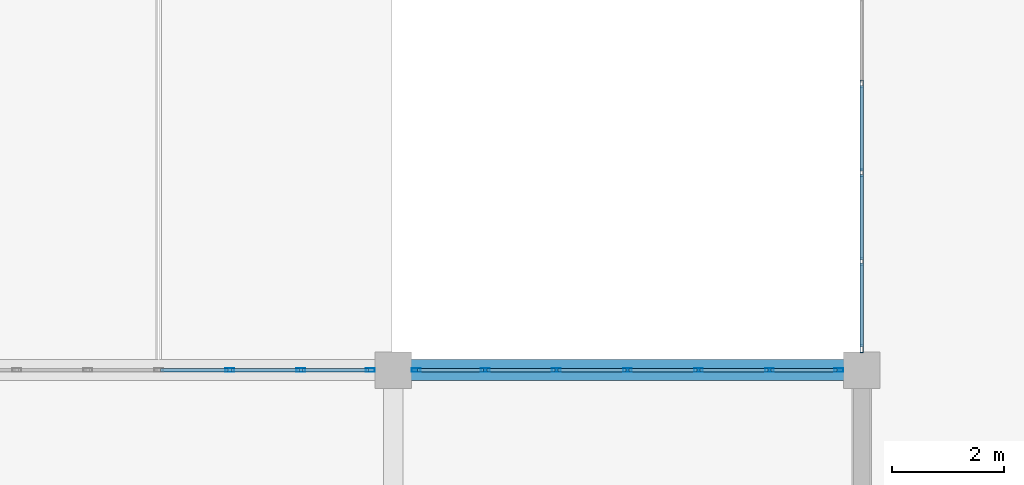
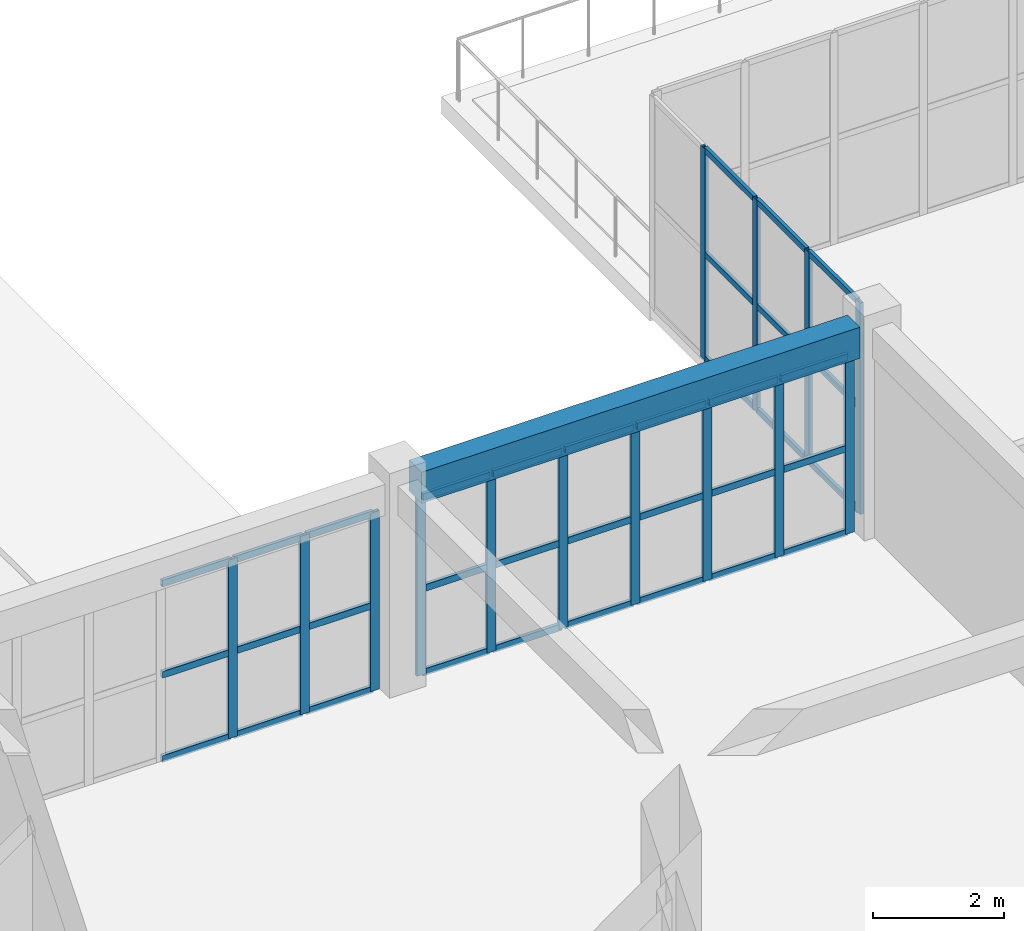
# One storey, part 45 of 90: 50 members, 1 beam, 3 elements without a shape of their own.
"""IFC4 building model written with IfcOpenShell, lengths in metres."""

from ifc_helpers import new_model, si_unit, direction, frame, origin, origin_2d, place, context, subcontext, project, spatial, rectangle, hollow_rectangle, extrude, material, layer, layer_set, material_profile, profile_set, type_object, element, aggregate, save


model = new_model("IFC4")

# Units and contexts
model_context = context("Model", 3, precision=1e-05, world=origin(), true_north=direction((0.0, 1.0)))
body_context = subcontext(model_context, "Body", "Model", "MODEL_VIEW")
ifc_project = project(units=[si_unit("LENGTHUNIT", "METRE"), si_unit("AREAUNIT", "SQUARE_METRE"), si_unit("VOLUMEUNIT", "CUBIC_METRE"), si_unit("PLANEANGLEUNIT", "RADIAN"), si_unit("MASSUNIT", "GRAM", prefix="KILO")], contexts=[model_context])

# Site, building, storey
site_placement = place(None, origin())
site = spatial("IfcSite", under=ifc_project, at=site_placement, CompositionType="ELEMENT")
building_placement = place(site_placement, origin())
building = spatial("IfcBuilding", under=site, at=building_placement, Name="Trelvath General Hospital", CompositionType="ELEMENT")
storey_placement = place(building_placement, frame((0.0, 0.0, 20.39990234375)))
storey = spatial("IfcBuildingStorey", under=building, at=storey_placement, Name="L05", CompositionType="ELEMENT", Elevation=20.39990234375)

# Beam
ifc_material_1 = material(Name="Concrete C35/45", Category="concrete")
ifc_material_profile_1 = material_profile(ifc_material_1, rectangle(XDim=0.3798828125, YDim=0.580078125, at=origin_2d()), Name="RCB380x580")
ifc_profile_set_1 = profile_set([ifc_material_profile_1], Name="Concrete C35/45")
beam_type = type_object("IfcBeamType", Name="Beam RC380x580", PredefinedType="BEAM", material=ifc_profile_set_1)
beam_placement = place(storey_placement, frame((84.320068359375, 67.199951171875, 3.630126953125), z_axis=(1.0, 0.0, 0.0), x_axis=(0.0, 1.0, 0.0)))
element("IfcBeam", 1, at=beam_placement, inside=storey, type_object=beam_type, Name="Grid Beam BX-510I", PredefinedType="BEAM", context=body_context, shape_type="SweptSolid", body=[
    extrude(rectangle(XDim=0.3798828125, YDim=0.580078125, at=origin_2d()), origin(), (0.0, 0.0, 1.0), 7.760009765625),
])

# Curtain wall, members
ifc_material_2 = material(Name="Anodised aluminium and low-E glass", Category="aluminium")
ifc_layer_1 = layer(ifc_material_2, 0.14990234375)
ifc_layer_set_1 = layer_set([ifc_layer_1], Name="Anodised aluminium and low-E glass")
curtain_wall_type_1 = type_object("IfcCurtainWallType", Name="CW CrystalCube 636 396 15", PredefinedType="USERDEFINED", material=ifc_layer_set_1)
curtain_wall_1_placement = place(storey_placement, origin())
curtain_wall_1 = element("IfcCurtainWall", 2, at=curtain_wall_1_placement, inside=storey, type_object=curtain_wall_type_1, Name="Crystal Cube Curtain Wall CUBE-E-T2 W5 L05", ObjectType="Unitised Glazed Curtain Wall", PredefinedType="USERDEFINED")
ifc_material_3 = material(Name="Anodised aluminium", Category="aluminium")
ifc_material_profile_2 = material_profile(ifc_material_3, hollow_rectangle(XDim=0.06005859375, YDim=0.139892578125, WallThickness=0.00390625, at=origin_2d()), Name="RHS60x140x4")
ifc_profile_set_2 = profile_set([ifc_material_profile_2], Name="Anodised aluminium")
member_type_1 = type_object("IfcMemberType", Name="CurtainMullion 60x140", PredefinedType="MULLION", material=ifc_profile_set_2)
member_1_placement = place(storey_placement, frame((92.39990234375, 67.5849609375, 0.0), z_axis=(0.0, 0.0, 1.0), x_axis=(-1.0, 0.0, 0.0)))
member_1 = element("IfcMember", 3, at=member_1_placement, type_object=member_type_1, Name="CW-323 mullion 1", PredefinedType="MULLION", context=body_context, shape_type="SweptSolid", body=[
    extrude(hollow_rectangle(XDim=0.06005859375, YDim=0.139892578125, WallThickness=0.00390625, at=origin_2d()), origin(), (0.0, 0.0, 1.0), 3.960205078125),
])
member_2_placement = place(storey_placement, frame((92.39990234375, 69.146240234375, 0.0), z_axis=(0.0, 0.0, 1.0), x_axis=(-1.0, 0.0, 0.0)))
member_2 = element("IfcMember", 4, at=member_2_placement, type_object=member_type_1, Name="CW-323 mullion 2", PredefinedType="MULLION", context=body_context, shape_type="SweptSolid", body=[
    extrude(hollow_rectangle(XDim=0.06005859375, YDim=0.139892578125, WallThickness=0.00390625, at=origin_2d()), origin(), (0.0, 0.0, 1.0), 3.960205078125),
])
member_3_placement = place(storey_placement, frame((92.39990234375, 70.737548828125, 0.0), z_axis=(0.0, 0.0, 1.0), x_axis=(-1.0, 0.0, 0.0)))
member_3 = element("IfcMember", 5, at=member_3_placement, type_object=member_type_1, Name="CW-323 mullion 3", PredefinedType="MULLION", context=body_context, shape_type="SweptSolid", body=[
    extrude(hollow_rectangle(XDim=0.06005859375, YDim=0.139892578125, WallThickness=0.00390625, at=origin_2d()), origin(), (0.0, 0.0, 1.0), 3.960205078125),
])
member_4_placement = place(storey_placement, frame((92.39990234375, 72.328857421875, 0.0), z_axis=(0.0, 0.0, 1.0), x_axis=(-1.0, 0.0, 0.0)))
member_4 = element("IfcMember", 6, at=member_4_placement, type_object=member_type_1, Name="CW-323 mullion 4", PredefinedType="MULLION", context=body_context, shape_type="SweptSolid", body=[
    extrude(hollow_rectangle(XDim=0.06005859375, YDim=0.139892578125, WallThickness=0.00390625, at=origin_2d()), origin(), (0.0, 0.0, 1.0), 3.960205078125),
])

ifc_material_4 = material(Name="Anodised aluminium and low-E glass", Category="aluminium")
ifc_layer_2 = layer(ifc_material_4, 0.14990234375)
ifc_layer_set_2 = layer_set([ifc_layer_2], Name="Anodised aluminium and low-E glass")
curtain_wall_type_2 = type_object("IfcCurtainWallType", Name="CW Facade 764 334 15", PredefinedType="USERDEFINED", material=ifc_layer_set_2)
curtain_wall_2_placement = place(storey_placement, origin())
curtain_wall_2 = element("IfcCurtainWall", 7, at=curtain_wall_2_placement, inside=storey, type_object=curtain_wall_type_2, Name="Facade Curtain Wall CW-071", ObjectType="Unitised Glazed Curtain Wall", PredefinedType="USERDEFINED")
ifc_material_5 = material(Name="Anodised aluminium", Category="aluminium")
ifc_material_profile_3 = material_profile(ifc_material_5, hollow_rectangle(XDim=0.06005859375, YDim=0.159912109375, WallThickness=0.00390625, at=origin_2d()), Name="RHS60x160x4")
ifc_profile_set_3 = profile_set([ifc_material_profile_3], Name="Anodised aluminium")
member_type_2 = type_object("IfcMemberType", Name="CurtainMullion 60x160", PredefinedType="MULLION", material=ifc_profile_set_3)
member_5_placement = place(storey_placement, frame((81.0732421875, 67.199951171875, 0.0), z_axis=(0.0, 0.0, 1.0), x_axis=(0.0, 1.0, 0.0)))
member_5 = element("IfcMember", 8, at=member_5_placement, type_object=member_type_2, Name="CW-071 mullion 5", PredefinedType="MULLION", context=body_context, shape_type="SweptSolid", body=[
    extrude(hollow_rectangle(XDim=0.06005859375, YDim=0.159912109375, WallThickness=0.00390625, at=origin_2d()), origin(), (0.0, 0.0, 1.0), 3.340087890625),
])
member_6_placement = place(storey_placement, frame((82.3466796875, 67.199951171875, 0.0), z_axis=(0.0, 0.0, 1.0), x_axis=(0.0, 1.0, 0.0)))
member_6 = element("IfcMember", 9, at=member_6_placement, type_object=member_type_2, Name="CW-071 mullion 6", PredefinedType="MULLION", context=body_context, shape_type="SweptSolid", body=[
    extrude(hollow_rectangle(XDim=0.06005859375, YDim=0.159912109375, WallThickness=0.00390625, at=origin_2d()), origin(), (0.0, 0.0, 1.0), 3.340087890625),
])
member_7_placement = place(storey_placement, frame((83.590087890625, 67.199951171875, 0.0), z_axis=(0.0, 0.0, 1.0), x_axis=(0.0, 1.0, 0.0)))
member_7 = element("IfcMember", 10, at=member_7_placement, type_object=member_type_2, Name="CW-071 mullion 7", PredefinedType="MULLION", context=body_context, shape_type="SweptSolid", body=[
    extrude(hollow_rectangle(XDim=0.06005859375, YDim=0.159912109375, WallThickness=0.00390625, at=origin_2d()), origin(), (0.0, 0.0, 1.0), 3.340087890625),
])

curtain_wall_3_placement = place(storey_placement, origin())
curtain_wall_3 = element("IfcCurtainWall", 11, at=curtain_wall_3_placement, inside=storey, type_object=curtain_wall_type_2, Name="Facade Curtain Wall CW-073", ObjectType="Unitised Glazed Curtain Wall", PredefinedType="USERDEFINED")
member_8_placement = place(storey_placement, frame((84.409912109375, 67.199951171875, 0.0), z_axis=(0.0, 0.0, 1.0), x_axis=(0.0, 1.0, 0.0)))
member_8 = element("IfcMember", 12, at=member_8_placement, type_object=member_type_2, Name="CW-073 mullion 1", PredefinedType="MULLION", context=body_context, shape_type="SweptSolid", body=[
    extrude(hollow_rectangle(XDim=0.06005859375, YDim=0.159912109375, WallThickness=0.00390625, at=origin_2d()), origin(), (0.0, 0.0, 1.0), 3.340087890625),
])
member_9_placement = place(storey_placement, frame((85.6533203125, 67.199951171875, 0.0), z_axis=(0.0, 0.0, 1.0), x_axis=(0.0, 1.0, 0.0)))
member_9 = element("IfcMember", 13, at=member_9_placement, type_object=member_type_2, Name="CW-073 mullion 2", PredefinedType="MULLION", context=body_context, shape_type="SweptSolid", body=[
    extrude(hollow_rectangle(XDim=0.06005859375, YDim=0.159912109375, WallThickness=0.00390625, at=origin_2d()), origin(), (0.0, 0.0, 1.0), 3.340087890625),
])
member_10_placement = place(storey_placement, frame((86.9267578125, 67.199951171875, 0.0), z_axis=(0.0, 0.0, 1.0), x_axis=(0.0, 1.0, 0.0)))
member_10 = element("IfcMember", 14, at=member_10_placement, type_object=member_type_2, Name="CW-073 mullion 3", PredefinedType="MULLION", context=body_context, shape_type="SweptSolid", body=[
    extrude(hollow_rectangle(XDim=0.06005859375, YDim=0.159912109375, WallThickness=0.00390625, at=origin_2d()), origin(), (0.0, 0.0, 1.0), 3.340087890625),
])
member_11_placement = place(storey_placement, frame((88.199951171875, 67.199951171875, 0.0), z_axis=(0.0, 0.0, 1.0), x_axis=(0.0, 1.0, 0.0)))
member_11 = element("IfcMember", 15, at=member_11_placement, type_object=member_type_2, Name="CW-073 mullion 4", PredefinedType="MULLION", context=body_context, shape_type="SweptSolid", body=[
    extrude(hollow_rectangle(XDim=0.06005859375, YDim=0.159912109375, WallThickness=0.00390625, at=origin_2d()), origin(), (0.0, 0.0, 1.0), 3.340087890625),
])
member_12_placement = place(storey_placement, frame((89.473388671875, 67.199951171875, 0.0), z_axis=(0.0, 0.0, 1.0), x_axis=(0.0, 1.0, 0.0)))
member_12 = element("IfcMember", 16, at=member_12_placement, type_object=member_type_2, Name="CW-073 mullion 5", PredefinedType="MULLION", context=body_context, shape_type="SweptSolid", body=[
    extrude(hollow_rectangle(XDim=0.06005859375, YDim=0.159912109375, WallThickness=0.00390625, at=origin_2d()), origin(), (0.0, 0.0, 1.0), 3.340087890625),
])
member_13_placement = place(storey_placement, frame((90.74658203125, 67.199951171875, 0.0), z_axis=(0.0, 0.0, 1.0), x_axis=(0.0, 1.0, 0.0)))
member_13 = element("IfcMember", 17, at=member_13_placement, type_object=member_type_2, Name="CW-073 mullion 6", PredefinedType="MULLION", context=body_context, shape_type="SweptSolid", body=[
    extrude(hollow_rectangle(XDim=0.06005859375, YDim=0.159912109375, WallThickness=0.00390625, at=origin_2d()), origin(), (0.0, 0.0, 1.0), 3.340087890625),
])
member_14_placement = place(storey_placement, frame((91.989990234375, 67.199951171875, 0.0), z_axis=(0.0, 0.0, 1.0), x_axis=(0.0, 1.0, 0.0)))
member_14 = element("IfcMember", 18, at=member_14_placement, type_object=member_type_2, Name="CW-073 mullion 7", PredefinedType="MULLION", context=body_context, shape_type="SweptSolid", body=[
    extrude(hollow_rectangle(XDim=0.06005859375, YDim=0.159912109375, WallThickness=0.00390625, at=origin_2d()), origin(), (0.0, 0.0, 1.0), 3.340087890625),
])

# Member
ifc_material_6 = material(Name="Anodised aluminium", Category="aluminium")
ifc_material_profile_4 = material_profile(ifc_material_6, hollow_rectangle(XDim=0.06005859375, YDim=0.110107421875, WallThickness=0.00390625, at=origin_2d()), Name="RHS60x110x4")
ifc_profile_set_4 = profile_set([ifc_material_profile_4], Name="Anodised aluminium")
member_type_3 = type_object("IfcMemberType", Name="CurtainTransom 60x110", PredefinedType="USERDEFINED", material=ifc_profile_set_4)
member_15_placement = place(storey_placement, frame((92.39990234375, 67.614990234375, 0.030029296875), z_axis=(0.0, 1.0, 0.0), x_axis=(-1.0, 0.0, 0.0)))
member_15 = element("IfcMember", 19, at=member_15_placement, type_object=member_type_3, Name="CW-323 transom 1.1", ObjectType="TRANSOM", PredefinedType="USERDEFINED", context=body_context, shape_type="SweptSolid", body=[
    extrude(hollow_rectangle(XDim=0.06005859375, YDim=0.110107421875, WallThickness=0.00390625, at=origin_2d()), origin(), (0.0, 0.0, 1.0), 1.501220703125),
])

member_16_placement = place(storey_placement, frame((92.39990234375, 67.614990234375, 1.97998046875), z_axis=(0.0, 1.0, 0.0), x_axis=(-1.0, 0.0, 0.0)))
member_16 = element("IfcMember", 20, at=member_16_placement, type_object=member_type_3, Name="CW-323 transom 1.2", ObjectType="TRANSOM", PredefinedType="USERDEFINED", context=body_context, shape_type="SweptSolid", body=[
    extrude(hollow_rectangle(XDim=0.06005859375, YDim=0.110107421875, WallThickness=0.00390625, at=origin_2d()), origin(), (0.0, 0.0, 1.0), 1.501220703125),
])

member_17_placement = place(storey_placement, frame((92.39990234375, 67.614990234375, 3.93017578125), z_axis=(0.0, 1.0, 0.0), x_axis=(-1.0, 0.0, 0.0)))
member_17 = element("IfcMember", 21, at=member_17_placement, type_object=member_type_3, Name="CW-323 transom 1.3", ObjectType="TRANSOM", PredefinedType="USERDEFINED", context=body_context, shape_type="SweptSolid", body=[
    extrude(hollow_rectangle(XDim=0.06005859375, YDim=0.110107421875, WallThickness=0.00390625, at=origin_2d()), origin(), (0.0, 0.0, 1.0), 1.501220703125),
])

member_18_placement = place(storey_placement, frame((92.39990234375, 69.17626953125, 0.030029296875), z_axis=(0.0, 1.0, 0.0), x_axis=(-1.0, 0.0, 0.0)))
member_18 = element("IfcMember", 22, at=member_18_placement, type_object=member_type_3, Name="CW-323 transom 2.1", ObjectType="TRANSOM", PredefinedType="USERDEFINED", context=body_context, shape_type="SweptSolid", body=[
    extrude(hollow_rectangle(XDim=0.06005859375, YDim=0.110107421875, WallThickness=0.00390625, at=origin_2d()), origin(), (0.0, 0.0, 1.0), 1.53125),
])

member_19_placement = place(storey_placement, frame((92.39990234375, 69.17626953125, 1.97998046875), z_axis=(0.0, 1.0, 0.0), x_axis=(-1.0, 0.0, 0.0)))
member_19 = element("IfcMember", 23, at=member_19_placement, type_object=member_type_3, Name="CW-323 transom 2.2", ObjectType="TRANSOM", PredefinedType="USERDEFINED", context=body_context, shape_type="SweptSolid", body=[
    extrude(hollow_rectangle(XDim=0.06005859375, YDim=0.110107421875, WallThickness=0.00390625, at=origin_2d()), origin(), (0.0, 0.0, 1.0), 1.53125),
])

member_20_placement = place(storey_placement, frame((92.39990234375, 69.17626953125, 3.93017578125), z_axis=(0.0, 1.0, 0.0), x_axis=(-1.0, 0.0, 0.0)))
member_20 = element("IfcMember", 24, at=member_20_placement, type_object=member_type_3, Name="CW-323 transom 2.3", ObjectType="TRANSOM", PredefinedType="USERDEFINED", context=body_context, shape_type="SweptSolid", body=[
    extrude(hollow_rectangle(XDim=0.06005859375, YDim=0.110107421875, WallThickness=0.00390625, at=origin_2d()), origin(), (0.0, 0.0, 1.0), 1.53125),
])

member_21_placement = place(storey_placement, frame((92.39990234375, 70.767578125, 0.030029296875), z_axis=(0.0, 1.0, 0.0), x_axis=(-1.0, 0.0, 0.0)))
member_21 = element("IfcMember", 25, at=member_21_placement, type_object=member_type_3, Name="CW-323 transom 3.1", ObjectType="TRANSOM", PredefinedType="USERDEFINED", context=body_context, shape_type="SweptSolid", body=[
    extrude(hollow_rectangle(XDim=0.06005859375, YDim=0.110107421875, WallThickness=0.00390625, at=origin_2d()), origin(), (0.0, 0.0, 1.0), 1.53125),
])

member_22_placement = place(storey_placement, frame((92.39990234375, 70.767578125, 1.97998046875), z_axis=(0.0, 1.0, 0.0), x_axis=(-1.0, 0.0, 0.0)))
member_22 = element("IfcMember", 26, at=member_22_placement, type_object=member_type_3, Name="CW-323 transom 3.2", ObjectType="TRANSOM", PredefinedType="USERDEFINED", context=body_context, shape_type="SweptSolid", body=[
    extrude(hollow_rectangle(XDim=0.06005859375, YDim=0.110107421875, WallThickness=0.00390625, at=origin_2d()), origin(), (0.0, 0.0, 1.0), 1.53125),
])

member_23_placement = place(storey_placement, frame((92.39990234375, 70.767578125, 3.93017578125), z_axis=(0.0, 1.0, 0.0), x_axis=(-1.0, 0.0, 0.0)))
member_23 = element("IfcMember", 27, at=member_23_placement, type_object=member_type_3, Name="CW-323 transom 3.3", ObjectType="TRANSOM", PredefinedType="USERDEFINED", context=body_context, shape_type="SweptSolid", body=[
    extrude(hollow_rectangle(XDim=0.06005859375, YDim=0.110107421875, WallThickness=0.00390625, at=origin_2d()), origin(), (0.0, 0.0, 1.0), 1.53125),
])

aggregate(curtain_wall_1, [member_1, member_2, member_3, member_4, member_15, member_16, member_17, member_18, member_19, member_20, member_21, member_22, member_23])

ifc_material_7 = material(Name="Anodised aluminium", Category="aluminium")
ifc_material_profile_5 = material_profile(ifc_material_7, hollow_rectangle(XDim=0.06005859375, YDim=0.125, WallThickness=0.00390625, at=origin_2d()), Name="RHS60x125x4")
ifc_profile_set_5 = profile_set([ifc_material_profile_5], Name="Anodised aluminium")
member_type_4 = type_object("IfcMemberType", Name="CurtainTransom 60x125", PredefinedType="USERDEFINED", material=ifc_profile_set_5)
member_24_placement = place(storey_placement, frame((79.830078125, 67.199951171875, 0.030029296875), z_axis=(1.0, 0.0, 0.0), x_axis=(0.0, 1.0, 0.0)))
member_24 = element("IfcMember", 28, at=member_24_placement, type_object=member_type_4, Name="CW-071 transom 4.1", ObjectType="TRANSOM", PredefinedType="USERDEFINED", context=body_context, shape_type="SweptSolid", body=[
    extrude(hollow_rectangle(XDim=0.06005859375, YDim=0.125, WallThickness=0.00390625, at=origin_2d()), origin(), (0.0, 0.0, 1.0), 1.213134765625),
])

member_25_placement = place(storey_placement, frame((79.830078125, 67.199951171875, 1.60302734375), z_axis=(1.0, 0.0, 0.0), x_axis=(0.0, 1.0, 0.0)))
member_25 = element("IfcMember", 29, at=member_25_placement, type_object=member_type_4, Name="CW-071 transom 4.2", ObjectType="TRANSOM", PredefinedType="USERDEFINED", context=body_context, shape_type="SweptSolid", body=[
    extrude(hollow_rectangle(XDim=0.06005859375, YDim=0.125, WallThickness=0.00390625, at=origin_2d()), origin(), (0.0, 0.0, 1.0), 1.213134765625),
])

member_26_placement = place(storey_placement, frame((79.830078125, 67.199951171875, 3.31005859375), z_axis=(1.0, 0.0, 0.0), x_axis=(0.0, 1.0, 0.0)))
member_26 = element("IfcMember", 30, at=member_26_placement, type_object=member_type_4, Name="CW-071 transom 4.3", ObjectType="TRANSOM", PredefinedType="USERDEFINED", context=body_context, shape_type="SweptSolid", body=[
    extrude(hollow_rectangle(XDim=0.06005859375, YDim=0.125, WallThickness=0.00390625, at=origin_2d()), origin(), (0.0, 0.0, 1.0), 1.213134765625),
])

member_27_placement = place(storey_placement, frame((81.103271484375, 67.199951171875, 0.030029296875), z_axis=(1.0, 0.0, 0.0), x_axis=(0.0, 1.0, 0.0)))
member_27 = element("IfcMember", 31, at=member_27_placement, type_object=member_type_4, Name="CW-071 transom 5.1", ObjectType="TRANSOM", PredefinedType="USERDEFINED", context=body_context, shape_type="SweptSolid", body=[
    extrude(hollow_rectangle(XDim=0.06005859375, YDim=0.125, WallThickness=0.00390625, at=origin_2d()), origin(), (0.0, 0.0, 1.0), 1.21337890625),
])

member_28_placement = place(storey_placement, frame((81.103271484375, 67.199951171875, 1.60302734375), z_axis=(1.0, 0.0, 0.0), x_axis=(0.0, 1.0, 0.0)))
member_28 = element("IfcMember", 32, at=member_28_placement, type_object=member_type_4, Name="CW-071 transom 5.2", ObjectType="TRANSOM", PredefinedType="USERDEFINED", context=body_context, shape_type="SweptSolid", body=[
    extrude(hollow_rectangle(XDim=0.06005859375, YDim=0.125, WallThickness=0.00390625, at=origin_2d()), origin(), (0.0, 0.0, 1.0), 1.21337890625),
])

member_29_placement = place(storey_placement, frame((81.103271484375, 67.199951171875, 3.31005859375), z_axis=(1.0, 0.0, 0.0), x_axis=(0.0, 1.0, 0.0)))
member_29 = element("IfcMember", 33, at=member_29_placement, type_object=member_type_4, Name="CW-071 transom 5.3", ObjectType="TRANSOM", PredefinedType="USERDEFINED", context=body_context, shape_type="SweptSolid", body=[
    extrude(hollow_rectangle(XDim=0.06005859375, YDim=0.125, WallThickness=0.00390625, at=origin_2d()), origin(), (0.0, 0.0, 1.0), 1.21337890625),
])

member_30_placement = place(storey_placement, frame((82.376708984375, 67.199951171875, 0.030029296875), z_axis=(1.0, 0.0, 0.0), x_axis=(0.0, 1.0, 0.0)))
member_30 = element("IfcMember", 34, at=member_30_placement, type_object=member_type_4, Name="CW-071 transom 6.1", ObjectType="TRANSOM", PredefinedType="USERDEFINED", context=body_context, shape_type="SweptSolid", body=[
    extrude(hollow_rectangle(XDim=0.06005859375, YDim=0.125, WallThickness=0.00390625, at=origin_2d()), origin(), (0.0, 0.0, 1.0), 1.183349609375),
])

member_31_placement = place(storey_placement, frame((82.376708984375, 67.199951171875, 1.60302734375), z_axis=(1.0, 0.0, 0.0), x_axis=(0.0, 1.0, 0.0)))
member_31 = element("IfcMember", 35, at=member_31_placement, type_object=member_type_4, Name="CW-071 transom 6.2", ObjectType="TRANSOM", PredefinedType="USERDEFINED", context=body_context, shape_type="SweptSolid", body=[
    extrude(hollow_rectangle(XDim=0.06005859375, YDim=0.125, WallThickness=0.00390625, at=origin_2d()), origin(), (0.0, 0.0, 1.0), 1.183349609375),
])

member_32_placement = place(storey_placement, frame((82.376708984375, 67.199951171875, 3.31005859375), z_axis=(1.0, 0.0, 0.0), x_axis=(0.0, 1.0, 0.0)))
member_32 = element("IfcMember", 36, at=member_32_placement, type_object=member_type_4, Name="CW-071 transom 6.3", ObjectType="TRANSOM", PredefinedType="USERDEFINED", context=body_context, shape_type="SweptSolid", body=[
    extrude(hollow_rectangle(XDim=0.06005859375, YDim=0.125, WallThickness=0.00390625, at=origin_2d()), origin(), (0.0, 0.0, 1.0), 1.183349609375),
])

aggregate(curtain_wall_2, [member_5, member_6, member_7, member_24, member_25, member_26, member_27, member_28, member_29, member_30, member_31, member_32])

member_33_placement = place(storey_placement, frame((84.43994140625, 67.199951171875, 0.030029296875), z_axis=(1.0, 0.0, 0.0), x_axis=(0.0, 1.0, 0.0)))
member_33 = element("IfcMember", 37, at=member_33_placement, type_object=member_type_4, Name="CW-073 transom 1.1", ObjectType="TRANSOM", PredefinedType="USERDEFINED", context=body_context, shape_type="SweptSolid", body=[
    extrude(hollow_rectangle(XDim=0.06005859375, YDim=0.125, WallThickness=0.00390625, at=origin_2d()), origin(), (0.0, 0.0, 1.0), 1.183349609375),
])

member_34_placement = place(storey_placement, frame((84.43994140625, 67.199951171875, 1.60302734375), z_axis=(1.0, 0.0, 0.0), x_axis=(0.0, 1.0, 0.0)))
member_34 = element("IfcMember", 38, at=member_34_placement, type_object=member_type_4, Name="CW-073 transom 1.2", ObjectType="TRANSOM", PredefinedType="USERDEFINED", context=body_context, shape_type="SweptSolid", body=[
    extrude(hollow_rectangle(XDim=0.06005859375, YDim=0.125, WallThickness=0.00390625, at=origin_2d()), origin(), (0.0, 0.0, 1.0), 1.183349609375),
])

member_35_placement = place(storey_placement, frame((84.43994140625, 67.199951171875, 3.31005859375), z_axis=(1.0, 0.0, 0.0), x_axis=(0.0, 1.0, 0.0)))
member_35 = element("IfcMember", 39, at=member_35_placement, type_object=member_type_4, Name="CW-073 transom 1.3", ObjectType="TRANSOM", PredefinedType="USERDEFINED", context=body_context, shape_type="SweptSolid", body=[
    extrude(hollow_rectangle(XDim=0.06005859375, YDim=0.125, WallThickness=0.00390625, at=origin_2d()), origin(), (0.0, 0.0, 1.0), 1.183349609375),
])

member_36_placement = place(storey_placement, frame((85.683349609375, 67.199951171875, 0.030029296875), z_axis=(1.0, 0.0, 0.0), x_axis=(0.0, 1.0, 0.0)))
member_36 = element("IfcMember", 40, at=member_36_placement, type_object=member_type_4, Name="CW-073 transom 2.1", ObjectType="TRANSOM", PredefinedType="USERDEFINED", context=body_context, shape_type="SweptSolid", body=[
    extrude(hollow_rectangle(XDim=0.06005859375, YDim=0.125, WallThickness=0.00390625, at=origin_2d()), origin(), (0.0, 0.0, 1.0), 1.21337890625),
])

member_37_placement = place(storey_placement, frame((85.683349609375, 67.199951171875, 1.60302734375), z_axis=(1.0, 0.0, 0.0), x_axis=(0.0, 1.0, 0.0)))
member_37 = element("IfcMember", 41, at=member_37_placement, type_object=member_type_4, Name="CW-073 transom 2.2", ObjectType="TRANSOM", PredefinedType="USERDEFINED", context=body_context, shape_type="SweptSolid", body=[
    extrude(hollow_rectangle(XDim=0.06005859375, YDim=0.125, WallThickness=0.00390625, at=origin_2d()), origin(), (0.0, 0.0, 1.0), 1.21337890625),
])

member_38_placement = place(storey_placement, frame((85.683349609375, 67.199951171875, 3.31005859375), z_axis=(1.0, 0.0, 0.0), x_axis=(0.0, 1.0, 0.0)))
member_38 = element("IfcMember", 42, at=member_38_placement, type_object=member_type_4, Name="CW-073 transom 2.3", ObjectType="TRANSOM", PredefinedType="USERDEFINED", context=body_context, shape_type="SweptSolid", body=[
    extrude(hollow_rectangle(XDim=0.06005859375, YDim=0.125, WallThickness=0.00390625, at=origin_2d()), origin(), (0.0, 0.0, 1.0), 1.21337890625),
])

member_39_placement = place(storey_placement, frame((86.956787109375, 67.199951171875, 0.030029296875), z_axis=(1.0, 0.0, 0.0), x_axis=(0.0, 1.0, 0.0)))
member_39 = element("IfcMember", 43, at=member_39_placement, type_object=member_type_4, Name="CW-073 transom 3.1", ObjectType="TRANSOM", PredefinedType="USERDEFINED", context=body_context, shape_type="SweptSolid", body=[
    extrude(hollow_rectangle(XDim=0.06005859375, YDim=0.125, WallThickness=0.00390625, at=origin_2d()), origin(), (0.0, 0.0, 1.0), 1.213134765625),
])

member_40_placement = place(storey_placement, frame((86.956787109375, 67.199951171875, 1.60302734375), z_axis=(1.0, 0.0, 0.0), x_axis=(0.0, 1.0, 0.0)))
member_40 = element("IfcMember", 44, at=member_40_placement, type_object=member_type_4, Name="CW-073 transom 3.2", ObjectType="TRANSOM", PredefinedType="USERDEFINED", context=body_context, shape_type="SweptSolid", body=[
    extrude(hollow_rectangle(XDim=0.06005859375, YDim=0.125, WallThickness=0.00390625, at=origin_2d()), origin(), (0.0, 0.0, 1.0), 1.213134765625),
])

member_41_placement = place(storey_placement, frame((86.956787109375, 67.199951171875, 3.31005859375), z_axis=(1.0, 0.0, 0.0), x_axis=(0.0, 1.0, 0.0)))
member_41 = element("IfcMember", 45, at=member_41_placement, type_object=member_type_4, Name="CW-073 transom 3.3", ObjectType="TRANSOM", PredefinedType="USERDEFINED", context=body_context, shape_type="SweptSolid", body=[
    extrude(hollow_rectangle(XDim=0.06005859375, YDim=0.125, WallThickness=0.00390625, at=origin_2d()), origin(), (0.0, 0.0, 1.0), 1.213134765625),
])

member_42_placement = place(storey_placement, frame((88.22998046875, 67.199951171875, 0.030029296875), z_axis=(1.0, 0.0, 0.0), x_axis=(0.0, 1.0, 0.0)))
member_42 = element("IfcMember", 46, at=member_42_placement, type_object=member_type_4, Name="CW-073 transom 4.1", ObjectType="TRANSOM", PredefinedType="USERDEFINED", context=body_context, shape_type="SweptSolid", body=[
    extrude(hollow_rectangle(XDim=0.06005859375, YDim=0.125, WallThickness=0.00390625, at=origin_2d()), origin(), (0.0, 0.0, 1.0), 1.21337890625),
])

member_43_placement = place(storey_placement, frame((88.22998046875, 67.199951171875, 1.60302734375), z_axis=(1.0, 0.0, 0.0), x_axis=(0.0, 1.0, 0.0)))
member_43 = element("IfcMember", 47, at=member_43_placement, type_object=member_type_4, Name="CW-073 transom 4.2", ObjectType="TRANSOM", PredefinedType="USERDEFINED", context=body_context, shape_type="SweptSolid", body=[
    extrude(hollow_rectangle(XDim=0.06005859375, YDim=0.125, WallThickness=0.00390625, at=origin_2d()), origin(), (0.0, 0.0, 1.0), 1.21337890625),
])

member_44_placement = place(storey_placement, frame((88.22998046875, 67.199951171875, 3.31005859375), z_axis=(1.0, 0.0, 0.0), x_axis=(0.0, 1.0, 0.0)))
member_44 = element("IfcMember", 48, at=member_44_placement, type_object=member_type_4, Name="CW-073 transom 4.3", ObjectType="TRANSOM", PredefinedType="USERDEFINED", context=body_context, shape_type="SweptSolid", body=[
    extrude(hollow_rectangle(XDim=0.06005859375, YDim=0.125, WallThickness=0.00390625, at=origin_2d()), origin(), (0.0, 0.0, 1.0), 1.21337890625),
])

member_45_placement = place(storey_placement, frame((89.50341796875, 67.199951171875, 0.030029296875), z_axis=(1.0, 0.0, 0.0), x_axis=(0.0, 1.0, 0.0)))
member_45 = element("IfcMember", 49, at=member_45_placement, type_object=member_type_4, Name="CW-073 transom 5.1", ObjectType="TRANSOM", PredefinedType="USERDEFINED", context=body_context, shape_type="SweptSolid", body=[
    extrude(hollow_rectangle(XDim=0.06005859375, YDim=0.125, WallThickness=0.00390625, at=origin_2d()), origin(), (0.0, 0.0, 1.0), 1.213134765625),
])

member_46_placement = place(storey_placement, frame((89.50341796875, 67.199951171875, 1.60302734375), z_axis=(1.0, 0.0, 0.0), x_axis=(0.0, 1.0, 0.0)))
member_46 = element("IfcMember", 50, at=member_46_placement, type_object=member_type_4, Name="CW-073 transom 5.2", ObjectType="TRANSOM", PredefinedType="USERDEFINED", context=body_context, shape_type="SweptSolid", body=[
    extrude(hollow_rectangle(XDim=0.06005859375, YDim=0.125, WallThickness=0.00390625, at=origin_2d()), origin(), (0.0, 0.0, 1.0), 1.213134765625),
])

member_47_placement = place(storey_placement, frame((89.50341796875, 67.199951171875, 3.31005859375), z_axis=(1.0, 0.0, 0.0), x_axis=(0.0, 1.0, 0.0)))
member_47 = element("IfcMember", 51, at=member_47_placement, type_object=member_type_4, Name="CW-073 transom 5.3", ObjectType="TRANSOM", PredefinedType="USERDEFINED", context=body_context, shape_type="SweptSolid", body=[
    extrude(hollow_rectangle(XDim=0.06005859375, YDim=0.125, WallThickness=0.00390625, at=origin_2d()), origin(), (0.0, 0.0, 1.0), 1.213134765625),
])

member_48_placement = place(storey_placement, frame((90.776611328125, 67.199951171875, 0.030029296875), z_axis=(1.0, 0.0, 0.0), x_axis=(0.0, 1.0, 0.0)))
member_48 = element("IfcMember", 52, at=member_48_placement, type_object=member_type_4, Name="CW-073 transom 6.1", ObjectType="TRANSOM", PredefinedType="USERDEFINED", context=body_context, shape_type="SweptSolid", body=[
    extrude(hollow_rectangle(XDim=0.06005859375, YDim=0.125, WallThickness=0.00390625, at=origin_2d()), origin(), (0.0, 0.0, 1.0), 1.183349609375),
])

member_49_placement = place(storey_placement, frame((90.776611328125, 67.199951171875, 1.60302734375), z_axis=(1.0, 0.0, 0.0), x_axis=(0.0, 1.0, 0.0)))
member_49 = element("IfcMember", 53, at=member_49_placement, type_object=member_type_4, Name="CW-073 transom 6.2", ObjectType="TRANSOM", PredefinedType="USERDEFINED", context=body_context, shape_type="SweptSolid", body=[
    extrude(hollow_rectangle(XDim=0.06005859375, YDim=0.125, WallThickness=0.00390625, at=origin_2d()), origin(), (0.0, 0.0, 1.0), 1.183349609375),
])

member_50_placement = place(storey_placement, frame((90.776611328125, 67.199951171875, 3.31005859375), z_axis=(1.0, 0.0, 0.0), x_axis=(0.0, 1.0, 0.0)))
member_50 = element("IfcMember", 54, at=member_50_placement, type_object=member_type_4, Name="CW-073 transom 6.3", ObjectType="TRANSOM", PredefinedType="USERDEFINED", context=body_context, shape_type="SweptSolid", body=[
    extrude(hollow_rectangle(XDim=0.06005859375, YDim=0.125, WallThickness=0.00390625, at=origin_2d()), origin(), (0.0, 0.0, 1.0), 1.183349609375),
])

aggregate(curtain_wall_3, [member_8, member_9, member_10, member_11, member_12, member_13, member_14, member_33, member_34, member_35, member_36, member_37, member_38, member_39, member_40, member_41, member_42, member_43, member_44, member_45, member_46, member_47, member_48, member_49, member_50])

save(model, "model.ifc")
